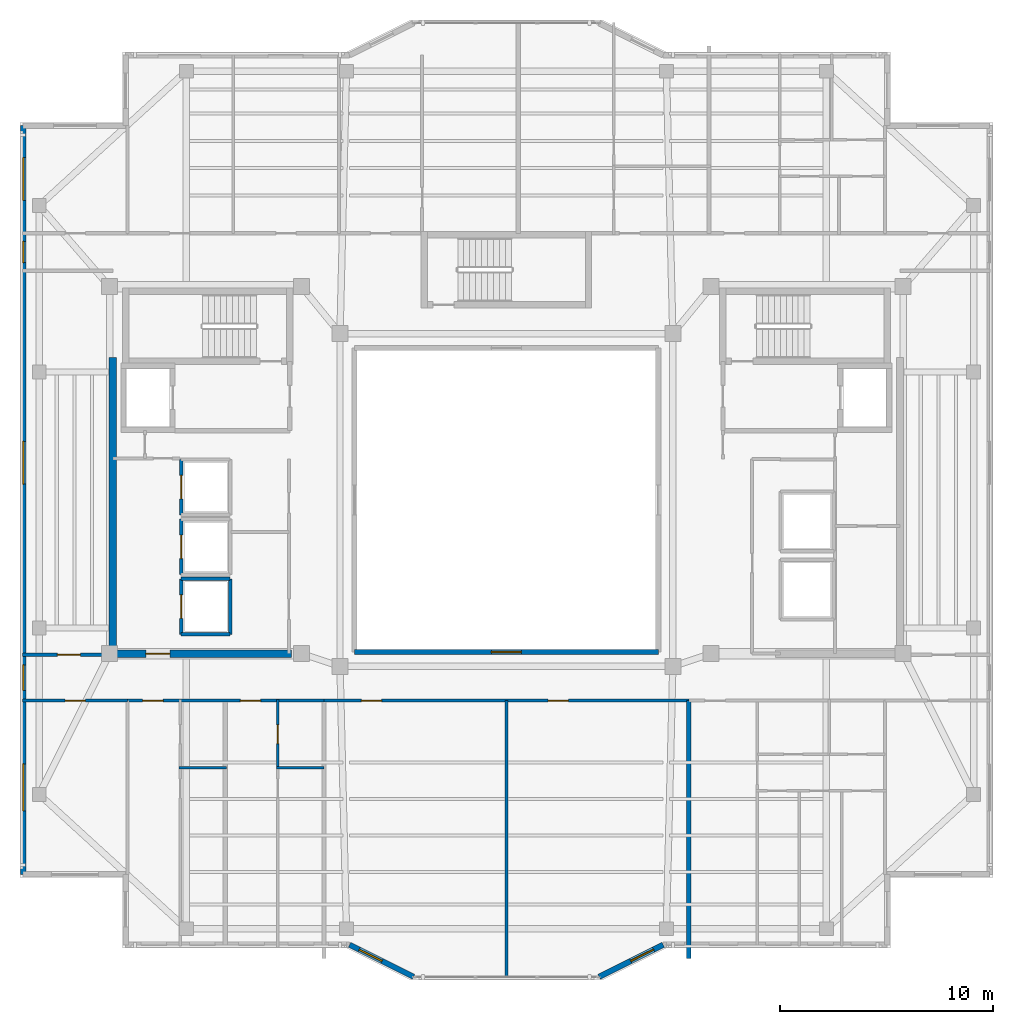
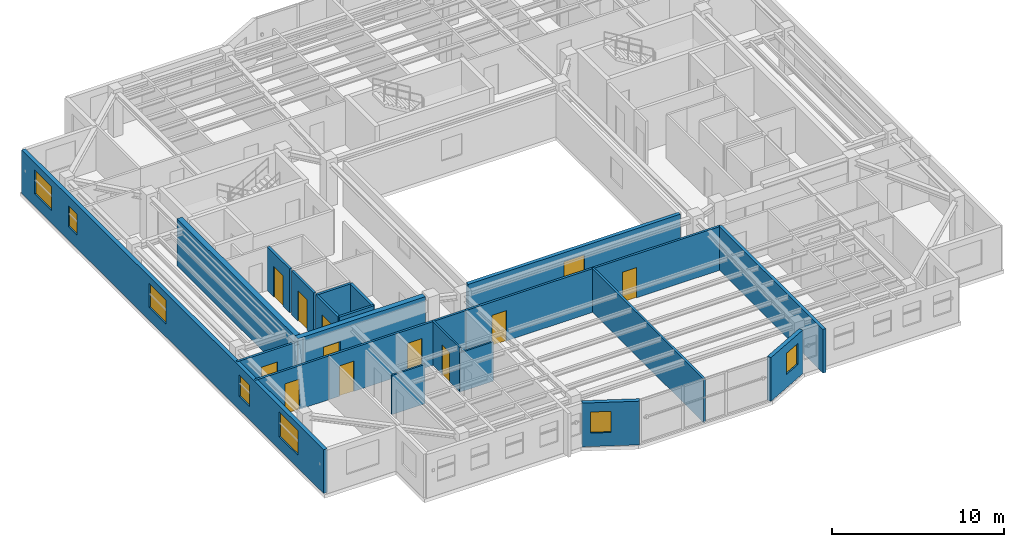
# One storey, part 6 of 14: 21 walls, 11 doors, 8 windows, 19 openings.
"""IFC4 building model written with IfcOpenShell, lengths in metres."""

from ifc_helpers import new_model, si_unit, direction, frame, frame_2d, origin, place, context, subcontext, project, spatial, rectangle, extrude, material, layer, layer_set, type_object, element, fill, save


model = new_model("IFC4")

# Units and contexts
model_context = context("Model", 3, precision=1e-05, world=origin(), true_north=direction((0.0, 1.0)))
body_context = subcontext(model_context, "Body", "Model", "MODEL_VIEW")
ifc_project = project(units=[si_unit("LENGTHUNIT", "METRE"), si_unit("AREAUNIT", "SQUARE_METRE"), si_unit("VOLUMEUNIT", "CUBIC_METRE"), si_unit("PLANEANGLEUNIT", "RADIAN"), si_unit("MASSUNIT", "GRAM", prefix="KILO")], contexts=[model_context])

# Site, building, storey
site_placement = place(None, origin())
site = spatial("IfcSite", under=ifc_project, at=site_placement, CompositionType="ELEMENT")
building_placement = place(site_placement, origin())
building = spatial("IfcBuilding", under=site, at=building_placement, Name="Tarnavaz Court Tower", CompositionType="ELEMENT")
storey_placement = place(building_placement, frame((0.0, 0.0, 254.89990234375)))
storey = spatial("IfcBuildingStorey", under=building, at=storey_placement, Name="L69", CompositionType="ELEMENT", Elevation=254.89990234375)

# Wall
ifc_material_1 = material(Name="Concrete C50/60", Category="concrete")
ifc_layer_1 = layer(ifc_material_1, 0.35009765625)
ifc_layer_set_1 = layer_set([ifc_layer_1], Name="Concrete C50/60")
wall_type_1 = type_object("IfcWallType", Name="WL-CORE-350-C50", PredefinedType="SHEAR", material=ifc_layer_set_1)
wall_1_placement = place(storey_placement, frame((-18.449951171875, -7.375, 0.0), z_axis=(0.0, 0.0, 1.0), x_axis=(0.0, 1.0, 0.0)))
element("IfcWall", 1, at=wall_1_placement, inside=storey, type_object=wall_type_1, Name="L69 West Core Shear Wall 045", PredefinedType="SHEAR", context=body_context, shape_type="SweptSolid", body=[
    extrude(rectangle(XDim=14.050048828125, YDim=0.35009765625, at=frame_2d((7.02490234375, 0.0))), origin(), (0.0, 0.0, 1.0), 3.35009765625),
])

# Wall, opening, door
wall_2_placement = place(storey_placement, frame((-18.625, -7.199951171875, 0.0), z_axis=(0.0, 0.0, 1.0), x_axis=(1.0, 0.0, 0.0)))
wall_2 = element("IfcWall", 2, at=wall_2_placement, inside=storey, type_object=wall_type_1, Name="L69 West Core South Shear Wall 046", PredefinedType="SHEAR", context=body_context, shape_type="SweptSolid", body=[
    extrude(rectangle(XDim=8.550048828125, YDim=0.35009765625, at=frame_2d((4.27490234375, 0.0))), origin(), (0.0, 0.0, 1.0), 3.35009765625),
])
opening_1_placement = place(wall_2_placement, frame((1.72509765625, 0.0, 0.0)))
opening_1 = element("IfcOpeningElement", 3, at=opening_1_placement, cuts=wall_2, Name="Opening D04", PredefinedType="OPENING", context=body_context, shape_type="SweptSolid", body=[
    extrude(rectangle(XDim=1.1201171875, YDim=2.14990234375, at=frame_2d((0.56005859375, 1.074951171875))), frame((0.0, 0.18505859375, 0.0), z_axis=(0.0, -1.0, 0.0), x_axis=(1.0, 0.0, 0.0)), (0.0, 0.0, 1.0), 0.3701171875),
])
ifc_material_2 = material(Name="Fire-Rated Hardwood Timber Core", Category="wood")
door_type_1 = type_object("IfcDoorType", Name="DR-FD60-1100", OperationType="NOTDEFINED", PredefinedType="DOOR", material=ifc_material_2)
door_1_placement = place(opening_1_placement, origin())
door_1 = element("IfcDoor", 4, at=door_1_placement, inside=storey, type_object=door_type_1, Name="L69 West High-Rise Lift Lobby Door", OperationType="SINGLE_SWING_LEFT", OverallHeight=2.14990234375, OverallWidth=1.1201171875, PredefinedType="DOOR", context=body_context, shape_type="SweptSolid", body=[
    extrude(rectangle(XDim=1.1201171875, YDim=2.14990234375, at=frame_2d((0.56005859375, 1.074951171875))), frame((0.0, 0.02490234375, 0.0), z_axis=(0.0, -1.0, 0.0), x_axis=(1.0, 0.0, 0.0)), (0.0, 0.0, 1.0), 0.050048828125),
])
fill(opening_1, door_1)

# Wall, openings, windows
ifc_material_3 = material(Name="Precast Concrete C40/50", Category="concrete")
ifc_layer_2 = layer(ifc_material_3, 0.260009765625)
ifc_layer_set_2 = layer_set([ifc_layer_2], Name="Precast Concrete C40/50")
wall_type_2 = type_object("IfcWallType", Name="WL-EXT-260", PredefinedType="SOLIDWALL", material=ifc_layer_set_2)
wall_3_placement = place(storey_placement, frame((-22.64990234375, -17.550048828125, 0.0), z_axis=(0.0, 0.0, 1.0), x_axis=(0.0, 1.0, 0.0)))
wall_3 = element("IfcWall", 5, at=wall_3_placement, inside=storey, type_object=wall_type_2, Name="L69 Exterior Terracotta Facade Wall 02", PredefinedType="SOLIDWALL", context=body_context, shape_type="SweptSolid", body=[
    extrude(rectangle(XDim=35.10009765625, YDim=0.260009765625, at=frame_2d((17.550048828125, 0.0))), origin(), (0.0, 0.0, 1.0), 3.10009765625),
])
opening_2_placement = place(wall_3_placement, frame((2.97509765625, 0.0, 0.89990234375)))
opening_2 = element("IfcOpeningElement", 6, at=opening_2_placement, cuts=wall_3, Name="Opening W07", PredefinedType="OPENING", context=body_context, shape_type="SweptSolid", body=[
    extrude(rectangle(XDim=2.199951171875, YDim=1.75, at=frame_2d((1.10009765625, 0.875))), frame((0.0, 0.139892578125, 0.0), z_axis=(0.0, -1.0, 0.0), x_axis=(1.0, 0.0, 0.0)), (0.0, 0.0, 1.0), 0.280029296875),
])
opening_3_placement = place(wall_3_placement, frame((8.625, 0.0, 0.949951171875)))
opening_3 = element("IfcOpeningElement", 7, at=opening_3_placement, cuts=wall_3, Name="Opening W05", PredefinedType="OPENING", context=body_context, shape_type="SweptSolid", body=[
    extrude(rectangle(XDim=1.199951171875, YDim=1.5, at=frame_2d((0.60009765625, 0.75))), frame((0.0, 0.139892578125, 0.0), z_axis=(0.0, -1.0, 0.0), x_axis=(1.0, 0.0, 0.0)), (0.0, 0.0, 1.0), 0.280029296875),
])
opening_4_placement = place(wall_3_placement, frame((18.300048828125, 0.0, 0.89990234375)))
opening_4 = element("IfcOpeningElement", 8, at=opening_4_placement, cuts=wall_3, Name="Opening W08", PredefinedType="OPENING", context=body_context, shape_type="SweptSolid", body=[
    extrude(rectangle(XDim=2.0, YDim=1.699951171875, at=frame_2d((1.0, 0.85009765625))), frame((0.0, 0.139892578125, 0.0), z_axis=(0.0, -1.0, 0.0), x_axis=(1.0, 0.0, 0.0)), (0.0, 0.0, 1.0), 0.280029296875),
])
opening_5_placement = place(wall_3_placement, frame((28.675048828125, 0.0, 0.949951171875)))
opening_5 = element("IfcOpeningElement", 9, at=opening_5_placement, cuts=wall_3, Name="Opening W14", PredefinedType="OPENING", context=body_context, shape_type="SweptSolid", body=[
    extrude(rectangle(XDim=1.0, YDim=1.5, at=frame_2d((0.5, 0.75))), frame((0.0, 0.139892578125, 0.0), z_axis=(0.0, -1.0, 0.0), x_axis=(1.0, 0.0, 0.0)), (0.0, 0.0, 1.0), 0.280029296875),
])
opening_6_placement = place(wall_3_placement, frame((31.60009765625, 0.0, 0.89990234375)))
opening_6 = element("IfcOpeningElement", 10, at=opening_6_placement, cuts=wall_3, Name="Opening W08", PredefinedType="OPENING", context=body_context, shape_type="SweptSolid", body=[
    extrude(rectangle(XDim=2.0, YDim=1.699951171875, at=frame_2d((1.0, 0.85009765625))), frame((0.0, 0.139892578125, 0.0), z_axis=(0.0, -1.0, 0.0), x_axis=(1.0, 0.0, 0.0)), (0.0, 0.0, 1.0), 0.280029296875),
])
ifc_material_4 = material(Name="Double-Glazed Solar Low-E Glass", Category="glass")
window_type_1 = type_object("IfcWindowType", Name="WN-APT-1000", PartitioningType="SINGLE_PANEL", PredefinedType="WINDOW", material=ifc_material_4)
window_1_placement = place(opening_5_placement, origin())
window_1 = element("IfcWindow", 11, at=window_1_placement, inside=storey, type_object=window_type_1, Name="L69 North-West Corner Corridor Window", OverallHeight=1.5, OverallWidth=1.0, PartitioningType="SINGLE_PANEL", PredefinedType="WINDOW", context=body_context, shape_type="SweptSolid", body=[
    extrude(rectangle(XDim=1.0, YDim=1.5, at=frame_2d((0.5, 0.75))), frame((0.0, 0.030029296875, 0.0), z_axis=(0.0, -1.0, 0.0), x_axis=(1.0, 0.0, 0.0)), (0.0, 0.0, 1.0), 0.06005859375),
])
fill(opening_5, window_1)
window_type_2 = type_object("IfcWindowType", Name="WN-APT-1200", PartitioningType="SINGLE_PANEL", PredefinedType="WINDOW", material=ifc_material_4)
window_2_placement = place(opening_3_placement, origin())
window_2 = element("IfcWindow", 12, at=window_2_placement, inside=storey, type_object=window_type_2, Name="L69 South-West Corner Corridor Window", OverallHeight=1.5, OverallWidth=1.199951171875, PartitioningType="SINGLE_PANEL", PredefinedType="WINDOW", context=body_context, shape_type="SweptSolid", body=[
    extrude(rectangle(XDim=1.199951171875, YDim=1.5, at=frame_2d((0.60009765625, 0.75))), frame((0.0, 0.030029296875, 0.0), z_axis=(0.0, -1.0, 0.0), x_axis=(1.0, 0.0, 0.0)), (0.0, 0.0, 1.0), 0.06005859375),
])
fill(opening_3, window_2)
window_type_3 = type_object("IfcWindowType", Name="WN-APT-2000", PartitioningType="DOUBLE_PANEL_VERTICAL", PredefinedType="WINDOW", material=ifc_material_4)
window_3_placement = place(opening_4_placement, origin())
window_3 = element("IfcWindow", 13, at=window_3_placement, inside=storey, type_object=window_type_3, Name="L69 West Wing Community Meeting Lounge Window", OverallHeight=1.699951171875, OverallWidth=2.0, PartitioningType="SINGLE_PANEL", PredefinedType="WINDOW", context=body_context, shape_type="SweptSolid", body=[
    extrude(rectangle(XDim=2.0, YDim=1.699951171875, at=frame_2d((1.0, 0.85009765625))), frame((0.0, 0.030029296875, 0.0), z_axis=(0.0, -1.0, 0.0), x_axis=(1.0, 0.0, 0.0)), (0.0, 0.0, 1.0), 0.06005859375),
])
fill(opening_4, window_3)
window_4_placement = place(opening_6_placement, origin())
window_4 = element("IfcWindow", 14, at=window_4_placement, inside=storey, type_object=window_type_3, Name="L69 North-West Corner Sunroom Study Window", OverallHeight=1.699951171875, OverallWidth=2.0, PartitioningType="SINGLE_PANEL", PredefinedType="WINDOW", context=body_context, shape_type="SweptSolid", body=[
    extrude(rectangle(XDim=2.0, YDim=1.699951171875, at=frame_2d((1.0, 0.85009765625))), frame((0.0, 0.030029296875, 0.0), z_axis=(0.0, -1.0, 0.0), x_axis=(1.0, 0.0, 0.0)), (0.0, 0.0, 1.0), 0.06005859375),
])
fill(opening_6, window_4)
window_type_4 = type_object("IfcWindowType", Name="WN-APT-2200", PartitioningType="TRIPLE_PANEL_VERTICAL", PredefinedType="WINDOW", material=ifc_material_4)
window_5_placement = place(opening_2_placement, origin())
window_5 = element("IfcWindow", 15, at=window_5_placement, inside=storey, type_object=window_type_4, Name="L69 South-West Corner Reading Room Window", OverallHeight=1.75, OverallWidth=2.199951171875, PartitioningType="SINGLE_PANEL", PredefinedType="WINDOW", context=body_context, shape_type="SweptSolid", body=[
    extrude(rectangle(XDim=2.199951171875, YDim=1.75, at=frame_2d((1.10009765625, 0.875))), frame((0.0, 0.030029296875, 0.0), z_axis=(0.0, -1.0, 0.0), x_axis=(1.0, 0.0, 0.0)), (0.0, 0.0, 1.0), 0.06005859375),
])
fill(opening_2, window_5)

# Wall, opening, window
wall_4_placement = place(storey_placement, frame((7.35009765625, -20.85009765625, 0.0), z_axis=(0.0, 0.0, 1.0), x_axis=(-0.894427191, -0.4472135955, 0.0)))
wall_4 = element("IfcWall", 16, at=wall_4_placement, inside=storey, type_object=wall_type_2, Name="L69 Exterior Terracotta Facade Wall 16", PredefinedType="SOLIDWALL", context=body_context, shape_type="SweptSolid", body=[
    extrude(rectangle(XDim=3.35400390625, YDim=0.260009765625, at=frame_2d((1.677001953125, 0.0))), origin(), (0.0, 0.0, 1.0), 3.10009765625),
])
opening_7_placement = place(wall_4_placement, frame((0.501220703125, 0.0, 0.949951171875)))
opening_7 = element("IfcOpeningElement", 17, at=opening_7_placement, cuts=wall_4, Name="Opening W05", PredefinedType="OPENING", context=body_context, shape_type="SweptSolid", body=[
    extrude(rectangle(XDim=1.199951171875, YDim=1.5, at=frame_2d((0.60009765625, 0.75))), frame((0.0, 0.139892578125, 0.0), z_axis=(0.0, -1.0, 0.0), x_axis=(1.0, 0.0, 0.0)), (0.0, 0.0, 1.0), 0.280029296875),
])
window_6_placement = place(opening_7_placement, origin())
window_6 = element("IfcWindow", 18, at=window_6_placement, inside=storey, type_object=window_type_2, Name="L69 South Courtyard Reading Room Window", OverallHeight=1.5, OverallWidth=1.199951171875, PartitioningType="SINGLE_PANEL", PredefinedType="WINDOW", context=body_context, shape_type="SweptSolid", body=[
    extrude(rectangle(XDim=1.199951171875, YDim=1.5, at=frame_2d((0.60009765625, 0.75))), frame((0.0, 0.030029296875, 0.0), z_axis=(0.0, -1.0, 0.0), x_axis=(1.0, 0.0, 0.0)), (0.0, 0.0, 1.0), 0.06005859375),
])
fill(opening_7, window_6)

wall_5_placement = place(storey_placement, frame((-4.35009765625, -22.35009765625, 0.0), z_axis=(0.0, 0.0, 1.0), x_axis=(-0.894427191, 0.4472135955, 0.0)))
wall_5 = element("IfcWall", 19, at=wall_5_placement, inside=storey, type_object=wall_type_2, Name="L69 Exterior Terracotta Facade Wall 18", PredefinedType="SOLIDWALL", context=body_context, shape_type="SweptSolid", body=[
    extrude(rectangle(XDim=3.35400390625, YDim=0.260009765625, at=frame_2d((1.677001953125, 0.0))), origin(), (0.0, 0.0, 1.0), 3.10009765625),
])
opening_8_placement = place(wall_5_placement, frame((1.65283203125, 0.0, 0.949951171875)))
opening_8 = element("IfcOpeningElement", 20, at=opening_8_placement, cuts=wall_5, Name="Opening W05", PredefinedType="OPENING", context=body_context, shape_type="SweptSolid", body=[
    extrude(rectangle(XDim=1.199951171875, YDim=1.5, at=frame_2d((0.60009765625, 0.75))), frame((0.0, 0.139892578125, 0.0), z_axis=(0.0, -1.0, 0.0), x_axis=(1.0, 0.0, 0.0)), (0.0, 0.0, 1.0), 0.280029296875),
])
window_7_placement = place(opening_8_placement, origin())
window_7 = element("IfcWindow", 21, at=window_7_placement, inside=storey, type_object=window_type_2, Name="L69 South Courtyard Majlis Lounge Window", OverallHeight=1.5, OverallWidth=1.199951171875, PartitioningType="SINGLE_PANEL", PredefinedType="WINDOW", context=body_context, shape_type="SweptSolid", body=[
    extrude(rectangle(XDim=1.199951171875, YDim=1.5, at=frame_2d((0.60009765625, 0.75))), frame((0.0, 0.030029296875, 0.0), z_axis=(0.0, -1.0, 0.0), x_axis=(1.0, 0.0, 0.0)), (0.0, 0.0, 1.0), 0.06005859375),
])
fill(opening_8, window_7)

# Wall, openings, doors
ifc_material_5 = material(Name="Gypsum Fire-Board on Acoustic Metal Stud", Category="masonry")
ifc_layer_3 = layer(ifc_material_5, 0.14990234375)
ifc_layer_set_3 = layer_set([ifc_layer_3], Name="Gypsum Fire-Board on Acoustic Metal Stud")
wall_type_3 = type_object("IfcWallType", Name="WL-FIRE-150", PredefinedType="PARTITIONING", material=ifc_layer_set_3)
wall_6_placement = place(storey_placement, frame((-17.75, -9.39990234375, 0.0), z_axis=(0.0, 0.0, 1.0), x_axis=(1.0, 0.0, 0.0)))
wall_6 = element("IfcWall", 22, at=wall_6_placement, inside=storey, type_object=wall_type_3, Name="L69 SW Lobby Wall 062", PredefinedType="PARTITIONING", context=body_context, shape_type="SweptSolid", body=[
    extrude(rectangle(XDim=9.199951171875, YDim=0.14990234375, at=frame_2d((4.60009765625, 0.0))), origin(), (0.0, 0.0, 1.0), 3.10009765625),
])
opening_9_placement = place(wall_6_placement, frame((0.699951171875, 0.0, 0.0)))
opening_9 = element("IfcOpeningElement", 23, at=opening_9_placement, cuts=wall_6, Name="Opening D06", PredefinedType="OPENING", context=body_context, shape_type="SweptSolid", body=[
    extrude(rectangle(XDim=0.9599609375, YDim=2.14990234375, at=frame_2d((0.47998046875, 1.074951171875))), frame((0.0, 0.0849609375, 0.0), z_axis=(0.0, -1.0, 0.0), x_axis=(1.0, 0.0, 0.0)), (0.0, 0.0, 1.0), 0.169921875),
])
opening_10_placement = place(wall_6_placement, frame((5.27490234375, 0.0, 0.0)))
opening_10 = element("IfcOpeningElement", 24, at=opening_10_placement, cuts=wall_6, Name="Opening D06", PredefinedType="OPENING", context=body_context, shape_type="SweptSolid", body=[
    extrude(rectangle(XDim=0.9599609375, YDim=2.14990234375, at=frame_2d((0.47998046875, 1.074951171875))), frame((0.0, 0.0849609375, 0.0), z_axis=(0.0, -1.0, 0.0), x_axis=(1.0, 0.0, 0.0)), (0.0, 0.0, 1.0), 0.169921875),
])
door_type_2 = type_object("IfcDoorType", Name="DR-FD60-950", OperationType="NOTDEFINED", PredefinedType="DOOR", material=ifc_material_2)
door_2_placement = place(opening_9_placement, origin())
door_2 = element("IfcDoor", 25, at=door_2_placement, inside=storey, type_object=door_type_2, Name="L69 Flat 03 Entrance Door", OperationType="SINGLE_SWING_LEFT", OverallHeight=2.14990234375, OverallWidth=0.9599609375, PredefinedType="DOOR", context=body_context, shape_type="SweptSolid", body=[
    extrude(rectangle(XDim=0.9599609375, YDim=2.14990234375, at=frame_2d((0.47998046875, 1.074951171875))), frame((0.0, 0.02490234375, 0.0), z_axis=(0.0, -1.0, 0.0), x_axis=(1.0, 0.0, 0.0)), (0.0, 0.0, 1.0), 0.050048828125),
])
fill(opening_9, door_2)
door_3_placement = place(opening_10_placement, origin())
door_3 = element("IfcDoor", 26, at=door_3_placement, inside=storey, type_object=door_type_2, Name="L69 Flat 04 Entrance Door", OperationType="SINGLE_SWING_RIGHT", OverallHeight=2.14990234375, OverallWidth=0.9599609375, PredefinedType="DOOR", context=body_context, shape_type="SweptSolid", body=[
    extrude(rectangle(XDim=0.9599609375, YDim=2.14990234375, at=frame_2d((0.47998046875, 1.074951171875))), frame((0.0, 0.02490234375, 0.0), z_axis=(0.0, -1.0, 0.0), x_axis=(1.0, 0.0, 0.0)), (0.0, 0.0, 1.0), 0.050048828125),
])
fill(opening_10, door_3)

wall_7_placement = place(storey_placement, frame((-8.550048828125, -9.39990234375, 0.0), z_axis=(0.0, 0.0, 1.0), x_axis=(1.0, 0.0, 0.0)))
wall_7 = element("IfcWall", 27, at=wall_7_placement, inside=storey, type_object=wall_type_3, Name="L69 Interior Partition 094", PredefinedType="PARTITIONING", context=body_context, shape_type="SweptSolid", body=[
    extrude(rectangle(XDim=17.10009765625, YDim=0.14990234375, at=frame_2d((8.550048828125, 0.0))), origin(), (0.0, 0.0, 1.0), 3.10009765625),
])
opening_11_placement = place(wall_7_placement, frame((1.75, 0.0, 0.0)))
opening_11 = element("IfcOpeningElement", 28, at=opening_11_placement, cuts=wall_7, Name="Opening D13", PredefinedType="OPENING", context=body_context, shape_type="SweptSolid", body=[
    extrude(rectangle(XDim=0.949951171875, YDim=2.14990234375, at=frame_2d((0.47509765625, 1.074951171875))), frame((0.0, 0.0849609375, 0.0), z_axis=(0.0, -1.0, 0.0), x_axis=(1.0, 0.0, 0.0)), (0.0, 0.0, 1.0), 0.169921875),
])
opening_12_placement = place(wall_7_placement, frame((10.5, 0.0, 0.0)))
opening_12 = element("IfcOpeningElement", 29, at=opening_12_placement, cuts=wall_7, Name="Opening D13", PredefinedType="OPENING", context=body_context, shape_type="SweptSolid", body=[
    extrude(rectangle(XDim=0.949951171875, YDim=2.14990234375, at=frame_2d((0.47509765625, 1.074951171875))), frame((0.0, 0.0849609375, 0.0), z_axis=(0.0, -1.0, 0.0), x_axis=(1.0, 0.0, 0.0)), (0.0, 0.0, 1.0), 0.169921875),
])
ifc_material_6 = material(Name="Engineered Oak Timber", Category="wood")
door_type_3 = type_object("IfcDoorType", Name="DR-INT-950", OperationType="NOTDEFINED", PredefinedType="DOOR", material=ifc_material_6)
door_4_placement = place(opening_11_placement, origin())
door_4 = element("IfcDoor", 30, at=door_4_placement, inside=storey, type_object=door_type_3, Name="L69 South Majlis Lounge Door", OperationType="SINGLE_SWING_RIGHT", OverallHeight=2.14990234375, OverallWidth=0.949951171875, PredefinedType="DOOR", context=body_context, shape_type="SweptSolid", body=[
    extrude(rectangle(XDim=0.949951171875, YDim=2.14990234375, at=frame_2d((0.47509765625, 1.074951171875))), frame((0.0, 0.02490234375, 0.0), z_axis=(0.0, -1.0, 0.0), x_axis=(1.0, 0.0, 0.0)), (0.0, 0.0, 1.0), 0.050048828125),
])
fill(opening_11, door_4)
door_5_placement = place(opening_12_placement, origin())
door_5 = element("IfcDoor", 31, at=door_5_placement, inside=storey, type_object=door_type_3, Name="L69 South Reading Room Door", OperationType="SINGLE_SWING_LEFT", OverallHeight=2.14990234375, OverallWidth=0.949951171875, PredefinedType="DOOR", context=body_context, shape_type="SweptSolid", body=[
    extrude(rectangle(XDim=0.949951171875, YDim=2.14990234375, at=frame_2d((0.47509765625, 1.074951171875))), frame((0.0, 0.02490234375, 0.0), z_axis=(0.0, -1.0, 0.0), x_axis=(1.0, 0.0, 0.0)), (0.0, 0.0, 1.0), 0.050048828125),
])
fill(opening_12, door_5)

# Wall, opening, door
wall_8_placement = place(storey_placement, frame((-22.679931640625, -7.25, 0.0), z_axis=(0.0, 0.0, 1.0), x_axis=(1.0, 0.0, 0.0)))
wall_8 = element("IfcWall", 32, at=wall_8_placement, inside=storey, type_object=wall_type_3, Name="L69 Interior Partition 096", PredefinedType="PARTITIONING", context=body_context, shape_type="SweptSolid", body=[
    extrude(rectangle(XDim=4.22998046875, YDim=0.14990234375, at=frame_2d((2.114990234375, 0.0))), origin(), (0.0, 0.0, 1.0), 3.10009765625),
])
opening_13_placement = place(wall_8_placement, frame((1.6298828125, 0.0, 0.0)))
opening_13 = element("IfcOpeningElement", 33, at=opening_13_placement, cuts=wall_8, Name="Opening D12", PredefinedType="OPENING", context=body_context, shape_type="SweptSolid", body=[
    extrude(rectangle(XDim=1.080078125, YDim=2.14990234375, at=frame_2d((0.5400390625, 1.074951171875))), frame((0.0, 0.0849609375, 0.0), z_axis=(0.0, -1.0, 0.0), x_axis=(1.0, 0.0, 0.0)), (0.0, 0.0, 1.0), 0.169921875),
])
door_type_4 = type_object("IfcDoorType", Name="DR-INT-1100", OperationType="NOTDEFINED", PredefinedType="DOOR", material=ifc_material_6)
door_6_placement = place(opening_13_placement, origin())
door_6 = element("IfcDoor", 34, at=door_6_placement, inside=storey, type_object=door_type_4, Name="L69 West Meeting Lounge Door", OperationType="SINGLE_SWING_RIGHT", OverallHeight=2.14990234375, OverallWidth=1.080078125, PredefinedType="DOOR", context=body_context, shape_type="SweptSolid", body=[
    extrude(rectangle(XDim=1.080078125, YDim=2.14990234375, at=frame_2d((0.5400390625, 1.074951171875))), frame((0.0, 0.02490234375, 0.0), z_axis=(0.0, -1.0, 0.0), x_axis=(1.0, 0.0, 0.0)), (0.0, 0.0, 1.0), 0.050048828125),
])
fill(opening_13, door_6)

wall_9_placement = place(storey_placement, frame((-22.679931640625, -9.39990234375, 0.0), z_axis=(0.0, 0.0, 1.0), x_axis=(1.0, 0.0, 0.0)))
wall_9 = element("IfcWall", 35, at=wall_9_placement, inside=storey, type_object=wall_type_3, Name="L69 Interior Partition 106", PredefinedType="PARTITIONING", context=body_context, shape_type="SweptSolid", body=[
    extrude(rectangle(XDim=4.929931640625, YDim=0.14990234375, at=frame_2d((2.46484375, 0.0))), origin(), (0.0, 0.0, 1.0), 3.10009765625),
])
opening_14_placement = place(wall_9_placement, frame((1.989990234375, 0.0, 0.0)))
opening_14 = element("IfcOpeningElement", 36, at=opening_14_placement, cuts=wall_9, Name="Opening D13", PredefinedType="OPENING", context=body_context, shape_type="SweptSolid", body=[
    extrude(rectangle(XDim=0.949951171875, YDim=2.14990234375, at=frame_2d((0.47509765625, 1.074951171875))), frame((0.0, 0.0849609375, 0.0), z_axis=(0.0, -1.0, 0.0), x_axis=(1.0, 0.0, 0.0)), (0.0, 0.0, 1.0), 0.169921875),
])
door_7_placement = place(opening_14_placement, origin())
door_7 = element("IfcDoor", 37, at=door_7_placement, inside=storey, type_object=door_type_3, Name="L69 SW Reading Room Door", OperationType="SINGLE_SWING_RIGHT", OverallHeight=2.14990234375, OverallWidth=0.949951171875, PredefinedType="DOOR", context=body_context, shape_type="SweptSolid", body=[
    extrude(rectangle(XDim=0.949951171875, YDim=2.14990234375, at=frame_2d((0.47509765625, 1.074951171875))), frame((0.0, 0.02490234375, 0.0), z_axis=(0.0, -1.0, 0.0), x_axis=(1.0, 0.0, 0.0)), (0.0, 0.0, 1.0), 0.050048828125),
])
fill(opening_14, door_7)

# Walls
ifc_material_7 = material(Name="Autoclaved Aerated Concrete Blockwork", Category="masonry")
ifc_layer_4 = layer(ifc_material_7, 0.199951171875)
ifc_layer_set_4 = layer_set([ifc_layer_4], Name="Autoclaved Aerated Concrete Blockwork")
wall_type_4 = type_object("IfcWallType", Name="WL-FIRE-200", PredefinedType="SOLIDWALL", material=ifc_layer_set_4)
wall_10_placement = place(storey_placement, frame((8.550048828125, -21.50390625, 0.0), z_axis=(0.0, 0.0, 1.0), x_axis=(0.0, 1.0, 0.0)))
element("IfcWall", 38, at=wall_10_placement, inside=storey, type_object=wall_type_4, Name="L69 Party Wall 093", PredefinedType="SOLIDWALL", context=body_context, shape_type="SweptSolid", body=[
    extrude(rectangle(XDim=12.10400390625, YDim=0.199951171875, at=frame_2d((6.052001953125, 0.0))), origin(), (0.0, 0.0, 1.0), 3.10009765625),
])
ifc_material_8 = material(Name="Moisture-Resistant Gypsum Board Partition", Category="masonry")
ifc_layer_5 = layer(ifc_material_8, 0.1201171875)
ifc_layer_set_5 = layer_set([ifc_layer_5], Name="Moisture-Resistant Gypsum Board Partition")
wall_type_5 = type_object("IfcWallType", Name="WL-PART-120", PredefinedType="PARTITIONING", material=ifc_layer_set_5)
wall_11_placement = place(storey_placement, frame((-15.35009765625, -12.56005859375, 0.0), z_axis=(0.0, 0.0, 1.0), x_axis=(1.0, 0.0, 0.0)))
element("IfcWall", 39, at=wall_11_placement, inside=storey, type_object=wall_type_5, Name="L69 Interior Partition 081", PredefinedType="PARTITIONING", context=body_context, shape_type="SweptSolid", body=[
    extrude(rectangle(XDim=2.235107421875, YDim=0.1201171875, at=frame_2d((1.11767578125, 0.0))), origin(), (0.0, 0.0, 1.0), 2.78515625),
])

# Wall, opening, door
wall_12_placement = place(storey_placement, frame((-10.715087890625, -12.56005859375, 0.0), z_axis=(0.0, 0.0, 1.0), x_axis=(0.0, 1.0, 0.0)))
wall_12 = element("IfcWall", 40, at=wall_12_placement, inside=storey, type_object=wall_type_5, Name="L69 Interior Partition 083", PredefinedType="PARTITIONING", context=body_context, shape_type="SweptSolid", body=[
    extrude(rectangle(XDim=3.219970703125, YDim=0.1201171875, at=frame_2d((1.60986328125, 0.0))), origin(), (0.0, 0.0, 1.0), 3.10009765625),
])
opening_15_placement = place(wall_12_placement, frame((1.139892578125, 0.0, 0.0)))
opening_15 = element("IfcOpeningElement", 41, at=opening_15_placement, cuts=wall_12, Name="Opening D14", PredefinedType="OPENING", context=body_context, shape_type="SweptSolid", body=[
    extrude(rectangle(XDim=0.8798828125, YDim=2.10009765625, at=frame_2d((0.43994140625, 1.050048828125))), frame((0.0, 0.070068359375, 0.0), z_axis=(0.0, -1.0, 0.0), x_axis=(1.0, 0.0, 0.0)), (0.0, 0.0, 1.0), 0.14013671875),
])
door_type_5 = type_object("IfcDoorType", Name="DR-INT-900", OperationType="NOTDEFINED", PredefinedType="DOOR", material=ifc_material_6)
door_8_placement = place(opening_15_placement, origin())
door_8 = element("IfcDoor", 42, at=door_8_placement, inside=storey, type_object=door_type_5, Name="L69 Flat 04 Bathroom Door", OperationType="SINGLE_SWING_RIGHT", OverallHeight=2.10009765625, OverallWidth=0.8798828125, PredefinedType="DOOR", context=body_context, shape_type="SweptSolid", body=[
    extrude(rectangle(XDim=0.8798828125, YDim=2.10009765625, at=frame_2d((0.43994140625, 1.050048828125))), frame((0.0, 0.02490234375, 0.0), z_axis=(0.0, -1.0, 0.0), x_axis=(1.0, 0.0, 0.0)), (0.0, 0.0, 1.0), 0.050048828125),
])
fill(opening_15, door_8)

# Walls
wall_13_placement = place(storey_placement, frame((-10.77490234375, -12.56005859375, 0.0), z_axis=(0.0, 0.0, 1.0), x_axis=(1.0, 0.0, 0.0)))
element("IfcWall", 43, at=wall_13_placement, inside=storey, type_object=wall_type_5, Name="L69 Interior Partition 084", PredefinedType="PARTITIONING", context=body_context, shape_type="SweptSolid", body=[
    extrude(rectangle(XDim=2.23486328125, YDim=0.1201171875, at=frame_2d((1.117431640625, 0.0))), origin(), (0.0, 0.0, 1.0), 2.78515625),
])
ifc_material_9 = material(Name="Gypsum Plasterboard Acoustic Partition", Category="masonry")
ifc_layer_6 = layer(ifc_material_9, 0.139892578125)
ifc_layer_set_6 = layer_set([ifc_layer_6], Name="Gypsum Plasterboard Acoustic Partition")
wall_type_6 = type_object("IfcWallType", Name="WL-PART-150", PredefinedType="PARTITIONING", material=ifc_layer_set_6)
wall_14_placement = place(storey_placement, frame((0.0, -22.3798828125, 0.0), z_axis=(0.0, 0.0, 1.0), x_axis=(0.0, 1.0, 0.0)))
element("IfcWall", 44, at=wall_14_placement, inside=storey, type_object=wall_type_6, Name="L69 Interior Partition 095", PredefinedType="PARTITIONING", context=body_context, shape_type="SweptSolid", body=[
    extrude(rectangle(XDim=12.97998046875, YDim=0.139892578125, at=frame_2d((6.489990234375, 0.0))), origin(), (0.0, 0.0, 1.0), 3.10009765625),
])

# Wall, opening, door
ifc_layer_7 = layer(ifc_material_7, 0.159912109375)
ifc_layer_set_7 = layer_set([ifc_layer_7], Name="Autoclaved Aerated Concrete Blockwork")
wall_type_7 = type_object("IfcWallType", Name="WL-SHAFT-150", PredefinedType="SOLIDWALL", material=ifc_layer_set_7)
wall_15_placement = place(storey_placement, frame((-15.25, -6.300048828125, 0.0), z_axis=(0.0, 0.0, 1.0), x_axis=(0.0, 1.0, 0.0)))
wall_15 = element("IfcWall", 45, at=wall_15_placement, inside=storey, type_object=wall_type_7, Name="L69 Lift PL-H1 Shaft Wall 021", PredefinedType="SOLIDWALL", context=body_context, shape_type="SweptSolid", body=[
    extrude(rectangle(XDim=2.60009765625, YDim=0.159912109375, at=frame_2d((1.300048828125, 0.0))), origin(), (0.0, 0.0, 1.0), 3.10009765625),
])
opening_16_placement = place(wall_15_placement, frame((0.75, 0.0, 0.0)))
opening_16 = element("IfcOpeningElement", 46, at=opening_16_placement, cuts=wall_15, Name="Opening LD1", PredefinedType="OPENING", context=body_context, shape_type="SweptSolid", body=[
    extrude(rectangle(XDim=1.10009765625, YDim=2.14990234375, at=frame_2d((0.550048828125, 1.074951171875))), frame((0.0, 0.08984375, 0.0), z_axis=(0.0, -1.0, 0.0), x_axis=(1.0, 0.0, 0.0)), (0.0, 0.0, 1.0), 0.179931640625),
])
ifc_material_10 = material(Name="Stainless Steel", Category="steel")
door_type_6 = type_object("IfcDoorType", Name="DR-LD-1100", OperationType="NOTDEFINED", PredefinedType="DOOR", material=ifc_material_10)
door_9_placement = place(opening_16_placement, origin())
door_9 = element("IfcDoor", 47, at=door_9_placement, inside=storey, type_object=door_type_6, Name="L69 Lift Landing Door LD-PL-H1", OperationType="SLIDING_TO_LEFT", OverallHeight=2.14990234375, OverallWidth=1.10009765625, PredefinedType="DOOR", context=body_context, shape_type="SweptSolid", body=[
    extrude(rectangle(XDim=1.10009765625, YDim=2.14990234375, at=frame_2d((0.550048828125, 1.074951171875))), frame((0.0, 0.02490234375, 0.0), z_axis=(0.0, -1.0, 0.0), x_axis=(1.0, 0.0, 0.0)), (0.0, 0.0, 1.0), 0.050048828125),
])
fill(opening_16, door_9)

# Walls
wall_16_placement = place(storey_placement, frame((-12.949951171875, -6.300048828125, 0.0), z_axis=(0.0, 0.0, 1.0), x_axis=(0.0, 1.0, 0.0)))
element("IfcWall", 48, at=wall_16_placement, inside=storey, type_object=wall_type_7, Name="L69 Lift PL-H1 Shaft Wall 022", PredefinedType="SOLIDWALL", context=body_context, shape_type="SweptSolid", body=[
    extrude(rectangle(XDim=2.60009765625, YDim=0.159912109375, at=frame_2d((1.300048828125, 0.0))), origin(), (0.0, 0.0, 1.0), 3.10009765625),
])
for number, where, z_axis, x_axis, name in (
    (49, (-15.25, -6.300048828125, 0.0), (0.0, 0.0, 1.0), (1.0, 0.0, 0.0), "L69 Lift PL-H1 Shaft Wall 023"),
    (50, (-15.25, -3.699951171875, 0.0), (0.0, 0.0, 1.0), (1.0, 0.0, 0.0), "L69 Lift PL-H1 Shaft Wall 024"),
):
    element("IfcWall", number, at=place(storey_placement, frame(where, z_axis=z_axis, x_axis=x_axis)), inside=storey, type_object=wall_type_7, Name=name, PredefinedType="SOLIDWALL", context=body_context, shape_type="SweptSolid", body=[
        extrude(rectangle(XDim=2.300048828125, YDim=0.159912109375, at=frame_2d((1.14990234375, 0.0))), origin(), (0.0, 0.0, 1.0), 3.10009765625),
    ])

# Wall, opening, door
wall_17_placement = place(storey_placement, frame((-15.25, -3.5, 0.0), z_axis=(0.0, 0.0, 1.0), x_axis=(0.0, 1.0, 0.0)))
wall_17 = element("IfcWall", 51, at=wall_17_placement, inside=storey, type_object=wall_type_7, Name="L69 Lift PL-H2 Shaft Wall 025", PredefinedType="SOLIDWALL", context=body_context, shape_type="SweptSolid", body=[
    extrude(rectangle(XDim=2.60009765625, YDim=0.159912109375, at=frame_2d((1.300048828125, 0.0))), origin(), (0.0, 0.0, 1.0), 3.10009765625),
])
opening_17_placement = place(wall_17_placement, frame((0.75, 0.0, 0.0)))
opening_17 = element("IfcOpeningElement", 52, at=opening_17_placement, cuts=wall_17, Name="Opening LD1", PredefinedType="OPENING", context=body_context, shape_type="SweptSolid", body=[
    extrude(rectangle(XDim=1.10009765625, YDim=2.14990234375, at=frame_2d((0.550048828125, 1.074951171875))), frame((0.0, 0.08984375, 0.0), z_axis=(0.0, -1.0, 0.0), x_axis=(1.0, 0.0, 0.0)), (0.0, 0.0, 1.0), 0.179931640625),
])
door_10_placement = place(opening_17_placement, origin())
door_10 = element("IfcDoor", 53, at=door_10_placement, inside=storey, type_object=door_type_6, Name="L69 Lift Landing Door LD-PL-H2", OperationType="SLIDING_TO_LEFT", OverallHeight=2.14990234375, OverallWidth=1.10009765625, PredefinedType="DOOR", context=body_context, shape_type="SweptSolid", body=[
    extrude(rectangle(XDim=1.10009765625, YDim=2.14990234375, at=frame_2d((0.550048828125, 1.074951171875))), frame((0.0, 0.02490234375, 0.0), z_axis=(0.0, -1.0, 0.0), x_axis=(1.0, 0.0, 0.0)), (0.0, 0.0, 1.0), 0.050048828125),
])
fill(opening_17, door_10)

wall_18_placement = place(storey_placement, frame((-15.25, -0.699951171875, 0.0), z_axis=(0.0, 0.0, 1.0), x_axis=(0.0, 1.0, 0.0)))
wall_18 = element("IfcWall", 54, at=wall_18_placement, inside=storey, type_object=wall_type_7, Name="L69 Lift PL-H3 Shaft Wall 029", PredefinedType="SOLIDWALL", context=body_context, shape_type="SweptSolid", body=[
    extrude(rectangle(XDim=2.599853515625, YDim=0.159912109375, at=frame_2d((1.2998046875, 0.0))), origin(), (0.0, 0.0, 1.0), 3.10009765625),
])
opening_18_placement = place(wall_18_placement, frame((0.75, 0.0, 0.0)))
opening_18 = element("IfcOpeningElement", 55, at=opening_18_placement, cuts=wall_18, Name="Opening LD1", PredefinedType="OPENING", context=body_context, shape_type="SweptSolid", body=[
    extrude(rectangle(XDim=1.10009765625, YDim=2.14990234375, at=frame_2d((0.550048828125, 1.074951171875))), frame((0.0, 0.08984375, 0.0), z_axis=(0.0, -1.0, 0.0), x_axis=(1.0, 0.0, 0.0)), (0.0, 0.0, 1.0), 0.179931640625),
])
door_11_placement = place(opening_18_placement, origin())
door_11 = element("IfcDoor", 56, at=door_11_placement, inside=storey, type_object=door_type_6, Name="L69 Lift Landing Door LD-PL-H3", OperationType="SLIDING_TO_LEFT", OverallHeight=2.14990234375, OverallWidth=1.10009765625, PredefinedType="DOOR", context=body_context, shape_type="SweptSolid", body=[
    extrude(rectangle(XDim=1.10009765625, YDim=2.14990234375, at=frame_2d((0.550048828125, 1.074951171875))), frame((0.0, 0.02490234375, 0.0), z_axis=(0.0, -1.0, 0.0), x_axis=(1.0, 0.0, 0.0)), (0.0, 0.0, 1.0), 0.050048828125),
])
fill(opening_18, door_11)

# Wall, opening, window
ifc_layer_8 = layer(ifc_material_3, 0.239990234375)
ifc_layer_set_8 = layer_set([ifc_layer_8], Name="Precast Concrete C40/50")
wall_type_8 = type_object("IfcWallType", Name="WL-WELL-240", PredefinedType="SOLIDWALL", material=ifc_layer_set_8)
wall_19_placement = place(storey_placement, frame((-7.1201171875, -7.1201171875, 0.0), z_axis=(0.0, 0.0, 1.0), x_axis=(1.0, 0.0, 0.0)))
wall_19 = element("IfcWall", 57, at=wall_19_placement, inside=storey, type_object=wall_type_8, Name="L69 Badgir Light-Well Exterior Wall S", PredefinedType="SOLIDWALL", context=body_context, shape_type="SweptSolid", body=[
    extrude(rectangle(XDim=14.240234375, YDim=0.239990234375, at=frame_2d((7.1201171875, 0.0))), origin(), (0.0, 0.0, 1.0), 3.10009765625),
])
opening_19_placement = place(wall_19_placement, frame((6.419921875, 0.0, 0.949951171875)))
opening_19 = element("IfcOpeningElement", 58, at=opening_19_placement, cuts=wall_19, Name="Opening W13", PredefinedType="OPENING", context=body_context, shape_type="SweptSolid", body=[
    extrude(rectangle(XDim=1.39990234375, YDim=1.5, at=frame_2d((0.699951171875, 0.75))), frame((0.0, 0.1298828125, 0.0), z_axis=(0.0, -1.0, 0.0), x_axis=(1.0, 0.0, 0.0)), (0.0, 0.0, 1.0), 0.260009765625),
])
window_type_5 = type_object("IfcWindowType", Name="WN-WEL-1400", PartitioningType="SINGLE_PANEL", PredefinedType="WINDOW", material=ifc_material_4)
window_8_placement = place(opening_19_placement, origin())
window_8 = element("IfcWindow", 59, at=window_8_placement, inside=storey, type_object=window_type_5, Name="L69 Courtyard Gallery Window S", OverallHeight=1.5, OverallWidth=1.39990234375, PartitioningType="SINGLE_PANEL", PredefinedType="WINDOW", context=body_context, shape_type="SweptSolid", body=[
    extrude(rectangle(XDim=1.39990234375, YDim=1.5, at=frame_2d((0.699951171875, 0.75))), frame((0.0, 0.030029296875, 0.0), z_axis=(0.0, -1.0, 0.0), x_axis=(1.0, 0.0, 0.0)), (0.0, 0.0, 1.0), 0.06005859375),
])
fill(opening_19, window_8)

save(model, "model.ifc")
